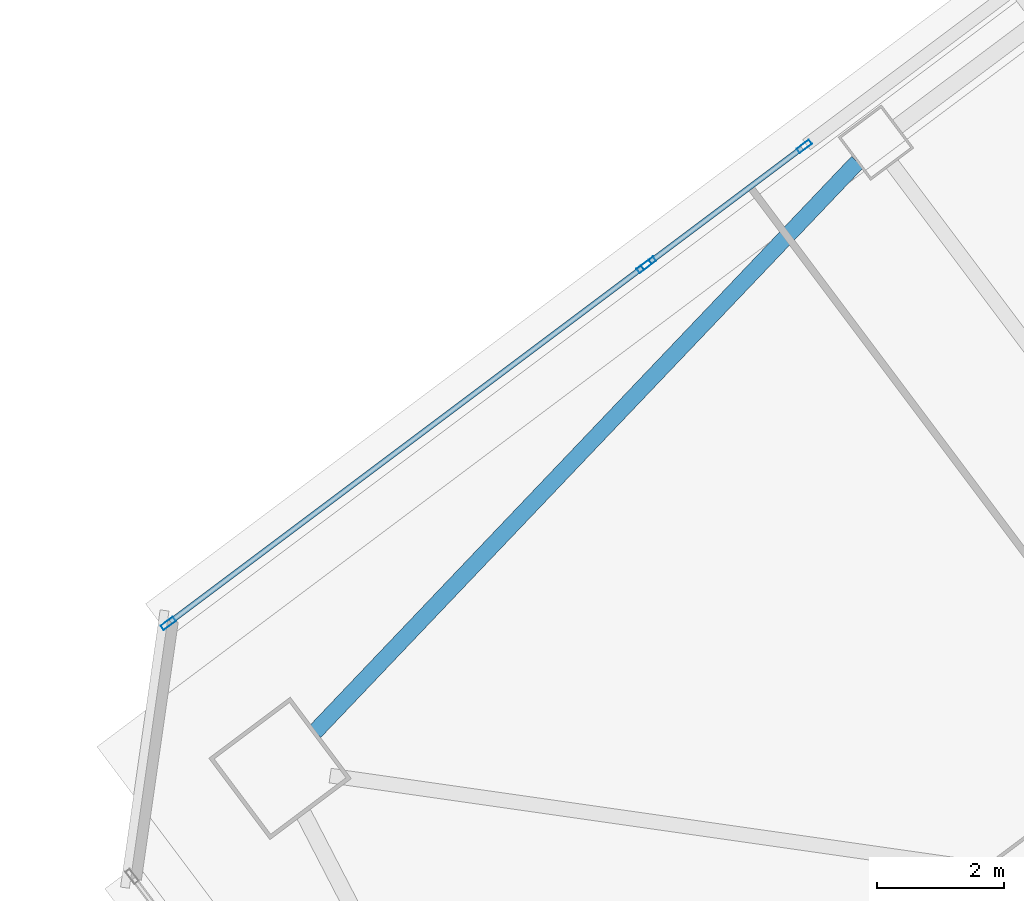
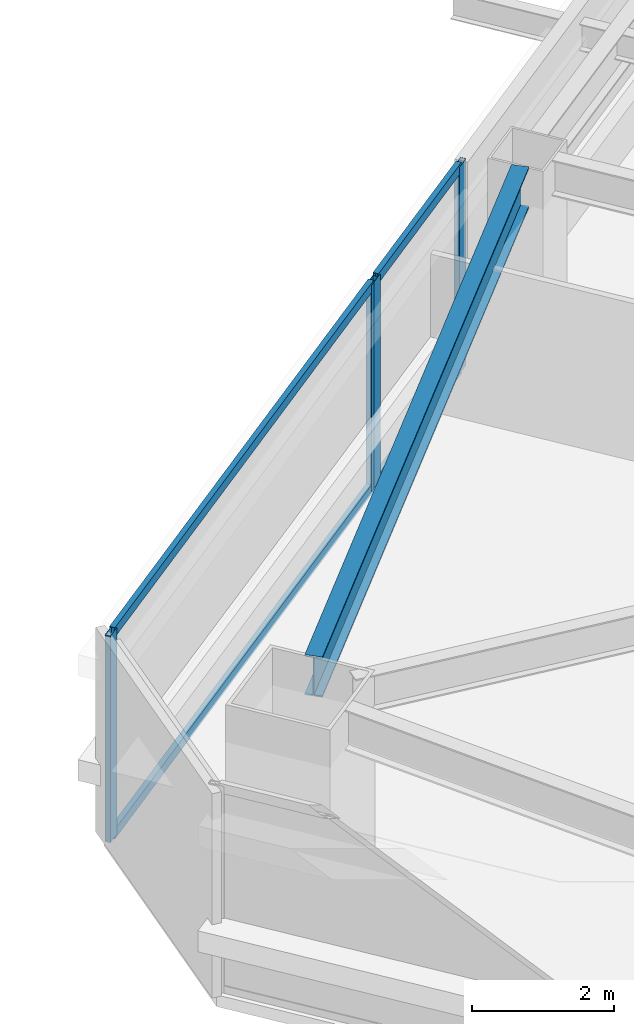
# One storey, part 26 of 46: 8 members, 1 beam, 2 elements without a shape of their own.
"""IFC4 building model written with IfcOpenShell, lengths in metres."""

from ifc_helpers import new_model, si_unit, direction, frame, origin, origin_2d, place, context, subcontext, project, spatial, hollow_rectangle, i_section, extrude, material, material_profile, profile_set, type_object, element, aggregate, save


model = new_model("IFC4")

# Units and contexts
model_context = context("Model", 3, precision=1e-05, world=origin(), true_north=direction((0.0, 1.0)))
body_context = subcontext(model_context, "Body", "Model", "MODEL_VIEW")
ifc_project = project(units=[si_unit("LENGTHUNIT", "METRE"), si_unit("AREAUNIT", "SQUARE_METRE"), si_unit("VOLUMEUNIT", "CUBIC_METRE"), si_unit("PLANEANGLEUNIT", "RADIAN"), si_unit("MASSUNIT", "GRAM", prefix="KILO")], contexts=[model_context])

# Site, building, storey
site_placement = place(None, origin())
site = spatial("IfcSite", under=ifc_project, at=site_placement, CompositionType="ELEMENT")
building_placement = place(site_placement, origin())
building = spatial("IfcBuilding", under=site, at=building_placement, Name="Tashvorn Skyway Center", CompositionType="ELEMENT")
storey_placement = place(building_placement, frame((0.0, 0.0, 31.699951171875)))
storey = spatial("IfcBuildingStorey", under=building, at=storey_placement, Name="L07", CompositionType="ELEMENT", Elevation=31.699951171875)

# Beam
ifc_material_1 = material(Name="Steel ASTM A992 Grade 50", Category="steel")
ifc_material_profile_1 = material_profile(ifc_material_1, i_section(OverallWidth=0.256103515625, OverallDepth=0.693115234375, WebThickness=0.014404296875, FlangeThickness=0.023681640625, at=origin_2d()), Name="W27X114")
ifc_profile_set_1 = profile_set([ifc_material_profile_1], Name="Steel ASTM A992 Grade 50")
beam_type = type_object("IfcBeamType", Name="BM-SPANDREL-W27X114", PredefinedType="SPANDREL", material=ifc_profile_set_1)
beam_placement = place(storey_placement, frame((96.76025390625, 45.2958984375, 3.003662109375), z_axis=(-0.689589637236, -0.724200339835, 0.0), x_axis=(0.724200339835, -0.689589637236, 0.0)))
element("IfcBeam", 1, at=beam_placement, inside=storey, type_object=beam_type, Name="Tower 2 L07 Spandrel Beam 09", PredefinedType="SPANDREL", context=body_context, shape_type="SweptSolid", body=[
    extrude(i_section(OverallWidth=0.256103515625, OverallDepth=0.693115234375, WebThickness=0.014404296875, FlangeThickness=0.023681640625, at=origin_2d()), origin(), (0.0, 0.0, 1.0), 12.37255859375),
])

# Curtain wall, members
ifc_material_2 = material(Name="Thermally broken bronze-anodized aluminium 6063-T6", Category="aluminium")
curtain_wall_type = type_object("IfcCurtainWallType", Name="CW-CW-Z1", PredefinedType="NOTDEFINED", material=ifc_material_2)
curtain_wall_1_placement = place(storey_placement, origin())
curtain_wall_1 = element("IfcCurtainWall", 2, at=curtain_wall_1_placement, inside=storey, type_object=curtain_wall_type, Name="Tower 2 L07 North Unitised Curtain Wall Glazing Group 1", PredefinedType="NOTDEFINED")
ifc_material_profile_2 = material_profile(ifc_material_2, hollow_rectangle(XDim=0.0849609375, YDim=0.239990234375, WallThickness=0.0048828125, at=origin_2d()), Name="ALU-MULL-85x240")
ifc_profile_set_2 = profile_set([ifc_material_profile_2], Name="Thermally broken bronze-anodized aluminium 6063-T6")
member_type_1 = type_object("IfcMemberType", Name="CWM-CW-Z1", PredefinedType="MULLION", material=ifc_profile_set_2)
member_1_placement = place(storey_placement, frame((85.922119140625, 38.04150390625, 0.0), z_axis=(0.0, 0.0, 1.0), x_axis=(-0.600000000002, 0.799999999998, 0.0)))
member_1 = element("IfcMember", 3, at=member_1_placement, type_object=member_type_1, Name="CW-Z1 mullion 1", PredefinedType="MULLION", context=body_context, shape_type="SweptSolid", body=[
    extrude(hollow_rectangle(XDim=0.0849609375, YDim=0.239990234375, WallThickness=0.0048828125, at=origin_2d()), origin(), (0.0, 0.0, 1.0), 3.550048828125),
])
member_2_placement = place(storey_placement, frame((93.406005859375, 43.654541015625, 0.0), z_axis=(0.0, 0.0, 1.0), x_axis=(-0.600000000002, 0.799999999998, 0.0)))
member_2 = element("IfcMember", 4, at=member_2_placement, type_object=member_type_1, Name="CW-Z1 mullion 2", PredefinedType="MULLION", context=body_context, shape_type="SweptSolid", body=[
    extrude(hollow_rectangle(XDim=0.0849609375, YDim=0.239990234375, WallThickness=0.0048828125, at=origin_2d()), origin(), (0.0, 0.0, 1.0), 3.550048828125),
])

curtain_wall_2_placement = place(storey_placement, origin())
curtain_wall_2 = element("IfcCurtainWall", 5, at=curtain_wall_2_placement, inside=storey, type_object=curtain_wall_type, Name="Tower 2 L07 North Unitised Curtain Wall Glazing Group 2", PredefinedType="NOTDEFINED")
member_3_placement = place(storey_placement, frame((93.47412109375, 43.70556640625, 0.0), z_axis=(0.0, 0.0, 1.0), x_axis=(-0.600005084776, 0.799996186392, 0.0)))
member_3 = element("IfcMember", 6, at=member_3_placement, type_object=member_type_1, Name="CW-Z1 mullion 1", PredefinedType="MULLION", context=body_context, shape_type="SweptSolid", body=[
    extrude(hollow_rectangle(XDim=0.0849609375, YDim=0.239990234375, WallThickness=0.0048828125, at=origin_2d()), origin(), (0.0, 0.0, 1.0), 3.550048828125),
])
member_4_placement = place(storey_placement, frame((95.92333984375, 45.54248046875, 0.0), z_axis=(0.0, 0.0, 1.0), x_axis=(-0.600005084776, 0.799996186392, 0.0)))
member_4 = element("IfcMember", 7, at=member_4_placement, type_object=member_type_1, Name="CW-Z1 mullion 2", PredefinedType="MULLION", context=body_context, shape_type="SweptSolid", body=[
    extrude(hollow_rectangle(XDim=0.0849609375, YDim=0.239990234375, WallThickness=0.0048828125, at=origin_2d()), origin(), (0.0, 0.0, 1.0), 3.550048828125),
])

# Member
ifc_material_profile_3 = material_profile(ifc_material_2, hollow_rectangle(XDim=0.0849609375, YDim=0.1650390625, WallThickness=0.0048828125, at=origin_2d()), Name="ALU-TRAN-85x165")
ifc_profile_set_3 = profile_set([ifc_material_profile_3], Name="Thermally broken bronze-anodized aluminium 6063-T6")
member_type_2 = type_object("IfcMemberType", Name="CWT-CW-Z1", PredefinedType="USERDEFINED", material=ifc_profile_set_3)
member_5_placement = place(storey_placement, frame((85.9560546875, 38.06689453125, 0.04248046875), z_axis=(0.8, 0.6, 0.0), x_axis=(-0.6, 0.8, 0.0)))
member_5 = element("IfcMember", 8, at=member_5_placement, type_object=member_type_2, Name="CW-Z1 transom 1.1", ObjectType="TRANSOM", PredefinedType="USERDEFINED", context=body_context, shape_type="SweptSolid", body=[
    extrude(hollow_rectangle(XDim=0.0849609375, YDim=0.1650390625, WallThickness=0.0048828125, at=origin_2d()), origin(), (0.0, 0.0, 1.0), 9.27001953125),
])

member_6_placement = place(storey_placement, frame((85.9560546875, 38.06689453125, 3.507568359375), z_axis=(0.8, 0.6, 0.0), x_axis=(-0.6, 0.8, 0.0)))
member_6 = element("IfcMember", 9, at=member_6_placement, type_object=member_type_2, Name="CW-Z1 transom 1.2", ObjectType="TRANSOM", PredefinedType="USERDEFINED", context=body_context, shape_type="SweptSolid", body=[
    extrude(hollow_rectangle(XDim=0.0849609375, YDim=0.1650390625, WallThickness=0.0048828125, at=origin_2d()), origin(), (0.0, 0.0, 1.0), 9.27001953125),
])

aggregate(curtain_wall_1, [member_1, member_2, member_5, member_6])

member_7_placement = place(storey_placement, frame((93.508056640625, 43.73095703125, 0.04248046875), z_axis=(0.799980315822, 0.600026244674, 0.0), x_axis=(-0.600026244674, 0.799980315822, 0.0)))
member_7 = element("IfcMember", 10, at=member_7_placement, type_object=member_type_2, Name="CW-Z1 transom 1.1", ObjectType="TRANSOM", PredefinedType="USERDEFINED", context=body_context, shape_type="SweptSolid", body=[
    extrude(hollow_rectangle(XDim=0.0849609375, YDim=0.1650390625, WallThickness=0.0048828125, at=origin_2d()), origin(), (0.0, 0.0, 1.0), 2.976806640625),
])

member_8_placement = place(storey_placement, frame((93.508056640625, 43.73095703125, 3.507568359375), z_axis=(0.799980315822, 0.600026244674, 0.0), x_axis=(-0.600026244674, 0.799980315822, 0.0)))
member_8 = element("IfcMember", 11, at=member_8_placement, type_object=member_type_2, Name="CW-Z1 transom 1.2", ObjectType="TRANSOM", PredefinedType="USERDEFINED", context=body_context, shape_type="SweptSolid", body=[
    extrude(hollow_rectangle(XDim=0.0849609375, YDim=0.1650390625, WallThickness=0.0048828125, at=origin_2d()), origin(), (0.0, 0.0, 1.0), 2.976806640625),
])

aggregate(curtain_wall_2, [member_3, member_4, member_7, member_8])

save(model, "model.ifc")
